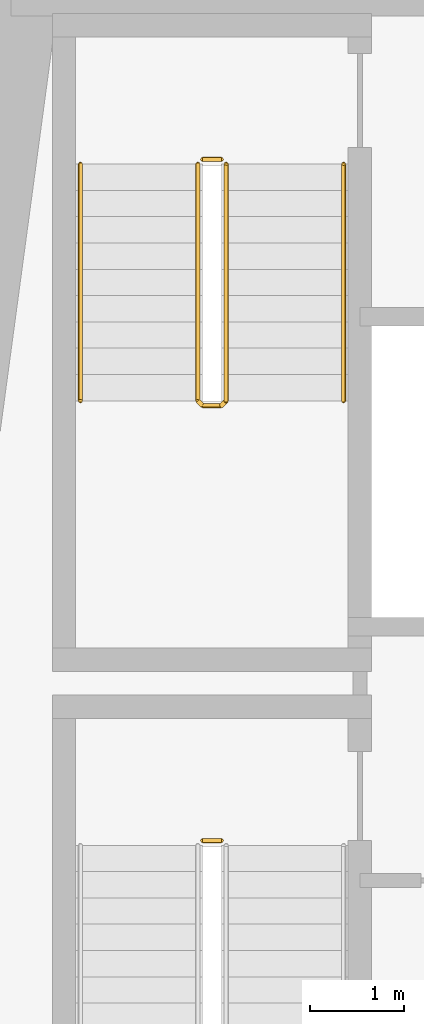
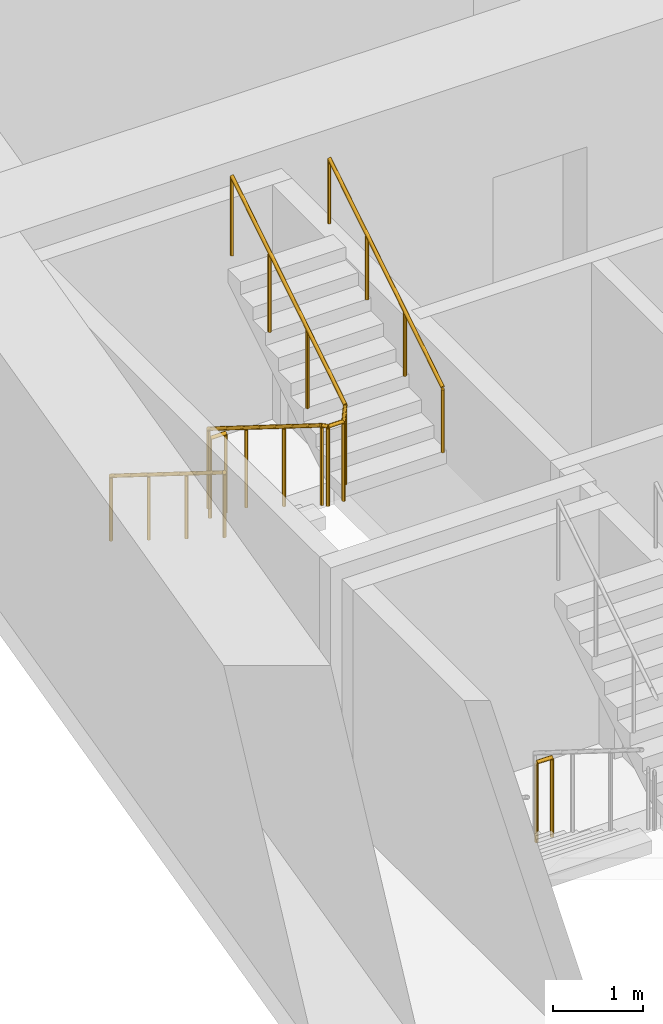
# One storey, part 10 of 13: 5 railings.
"""IFC4 building model written with IfcOpenShell, lengths in metres."""

from ifc_helpers import new_model, si_unit, direction, frame, origin, origin_2d, place, context, subcontext, project, spatial, circle, extrude, material, type_object, element, save


model = new_model("IFC4")

# Units and contexts
model_context = context("Model", 3, precision=1e-05, world=origin(), true_north=direction((0.0, 1.0)))
body_context = subcontext(model_context, "Body", "Model", "MODEL_VIEW")
ifc_project = project(units=[si_unit("LENGTHUNIT", "METRE"), si_unit("AREAUNIT", "SQUARE_METRE"), si_unit("VOLUMEUNIT", "CUBIC_METRE"), si_unit("PLANEANGLEUNIT", "RADIAN"), si_unit("MASSUNIT", "GRAM", prefix="KILO")], contexts=[model_context])

# Site, building, storey
site_placement = place(None, origin())
site = spatial("IfcSite", under=ifc_project, at=site_placement, CompositionType="ELEMENT")
building_placement = place(site_placement, origin())
building = spatial("IfcBuilding", under=site, at=building_placement, Name="Candeia Pilgrim Tower and Theatre", CompositionType="ELEMENT")
storey_placement = place(building_placement, frame((0.0, 0.0, 67.0)))
storey = spatial("IfcBuildingStorey", under=building, at=storey_placement, Name="L14", CompositionType="ELEMENT", Elevation=67.0)

# Railings
ifc_material_1 = material(Name="Stainless steel balustrade", Category="steel")
railing_type_1 = type_object("IfcRailingType", Name="RL-GUARD-1100", PredefinedType="GUARDRAIL", material=ifc_material_1)
railing_1_placement = place(storey_placement, frame((91.152099609375, 122.52490234375, 0.0)))
element("IfcRailing", 1, at=railing_1_placement, inside=storey, type_object=railing_type_1, Name="L14 ST1 stair guard 2", PredefinedType="GUARDRAIL", context=body_context, shape_type="SweptSolid", body=[
    extrude(circle(Radius=0.02392578125, at=origin_2d()), frame((0.0, 0.0, 1.076171875), z_axis=(1.0, 0.0, 0.0), x_axis=(0.0, 1.0, 0.0)), (0.0, 0.0, 1.0), 0.199951171875),
    extrude(circle(Radius=0.02099609375, at=origin_2d()), origin(), (0.0, 0.0, 1.0), 1.052001953125),
    extrude(circle(Radius=0.02099609375, at=origin_2d()), frame((0.199951171875, 0.0, 0.0)), (0.0, 0.0, 1.0), 1.052001953125),
])
railing_2_placement = place(storey_placement, frame((91.10205078125, 129.72509765625, 0.175048828125)))
element("IfcRailing", 2, at=railing_2_placement, inside=storey, type_object=railing_type_1, Name="L14 ST2 stair guard 1", PredefinedType="GUARDRAIL", context=body_context, shape_type="SweptSolid", body=[
    extrude(circle(Radius=0.02392578125, at=origin_2d()), frame((0.0, 0.0, 1.076171875), z_axis=(0.0, -0.848007534815, 0.529984170421), x_axis=(1.0, 0.0, 0.0)), (0.0, 0.0, 1.0), 2.9716796875),
    extrude(circle(Radius=0.02392578125, at=origin_2d()), frame((0.0, -2.52001953125, 2.65087890625), z_axis=(0.707106781187, -0.707106781187, 0.0), x_axis=(0.707106781187, 0.707106781187, 0.0)), (0.0, 0.0, 1.0), 0.07080078125),
    extrude(circle(Radius=0.02392578125, at=origin_2d()), frame((0.050048828125, -2.570068359375, 2.65087890625), z_axis=(1.0, 0.0, 0.0), x_axis=(0.0, 1.0, 0.0)), (0.0, 0.0, 1.0), 0.199951171875),
    extrude(circle(Radius=0.02392578125, at=origin_2d()), frame((0.25, -2.570068359375, 2.65087890625), z_axis=(0.265065253269, 0.265065253269, 0.927081885822), x_axis=(-0.707106781187, 0.707106781187, 0.0)), (0.0, 0.0, 1.0), 0.188720703125),
    extrude(circle(Radius=0.02392578125, at=origin_2d()), frame((0.300048828125, -2.52001953125, 2.826171875), z_axis=(0.0, 0.848007534815, 0.529984170421), x_axis=(-1.0, 0.0, 0.0)), (0.0, 0.0, 1.0), 2.9716796875),
    extrude(circle(Radius=0.02099609375, at=origin_2d()), origin(), (0.0, 0.0, 1.0), 1.052001953125),
    extrude(circle(Radius=0.02099609375, at=origin_2d()), frame((0.0, -0.840087890625, 0.52490234375)), (0.0, 0.0, 1.0), 1.052001953125),
    extrude(circle(Radius=0.02099609375, at=origin_2d()), frame((0.0, -1.679931640625, 1.050048828125)), (0.0, 0.0, 1.0), 1.052001953125),
    extrude(circle(Radius=0.02099609375, at=origin_2d()), frame((0.0, -2.52001953125, 1.574951171875)), (0.0, 0.0, 1.0), 1.052001953125),
    extrude(circle(Radius=0.02099609375, at=origin_2d()), frame((0.050048828125, -2.570068359375, 1.574951171875)), (0.0, 0.0, 1.0), 1.052001953125),
    extrude(circle(Radius=0.02099609375, at=origin_2d()), frame((0.25, -2.570068359375, 1.574951171875)), (0.0, 0.0, 1.0), 1.052001953125),
    extrude(circle(Radius=0.02099609375, at=origin_2d()), frame((0.300048828125, -2.52001953125, 1.75)), (0.0, 0.0, 1.0), 1.052001953125),
    extrude(circle(Radius=0.02099609375, at=origin_2d()), frame((0.300048828125, -1.679931640625, 2.27490234375)), (0.0, 0.0, 1.0), 1.052001953125),
    extrude(circle(Radius=0.02099609375, at=origin_2d()), frame((0.300048828125, -0.840087890625, 2.800048828125)), (0.0, 0.0, 1.0), 1.052001953125),
    extrude(circle(Radius=0.02099609375, at=origin_2d()), frame((0.300048828125, 0.0, 3.324951171875)), (0.0, 0.0, 1.0), 1.052001953125),
])
railing_3_placement = place(storey_placement, frame((91.152099609375, 129.77490234375, 0.0)))
element("IfcRailing", 3, at=railing_3_placement, inside=storey, type_object=railing_type_1, Name="L14 ST2 stair guard 2", PredefinedType="GUARDRAIL", context=body_context, shape_type="SweptSolid", body=[
    extrude(circle(Radius=0.02392578125, at=origin_2d()), frame((0.0, 0.0, 1.076171875), z_axis=(1.0, 0.0, 0.0), x_axis=(0.0, 1.0, 0.0)), (0.0, 0.0, 1.0), 0.199951171875),
    extrude(circle(Radius=0.02099609375, at=origin_2d()), origin(), (0.0, 0.0, 1.0), 1.052001953125),
    extrude(circle(Radius=0.02099609375, at=origin_2d()), frame((0.199951171875, 0.0, 0.0)), (0.0, 0.0, 1.0), 1.052001953125),
])
ifc_material_2 = material(Name="Stainless steel handrail", Category="steel")
railing_type_2 = type_object("IfcRailingType", Name="RL-HANDRAIL-900", PredefinedType="HANDRAIL", material=ifc_material_2)
railing_4_placement = place(storey_placement, frame((89.85205078125, 129.72509765625, 0.175048828125)))
element("IfcRailing", 4, at=railing_4_placement, inside=storey, type_object=railing_type_2, Name="L14 ST2 stair handrail 1", PredefinedType="HANDRAIL", context=body_context, shape_type="SweptSolid", body=[
    extrude(circle(Radius=0.02392578125, at=origin_2d()), frame((0.0, 0.0, 0.8759765625), z_axis=(0.0, -0.848007534815, 0.529984170421), x_axis=(1.0, 0.0, 0.0)), (0.0, 0.0, 1.0), 2.9716796875),
    extrude(circle(Radius=0.02099609375, at=origin_2d()), origin(), (0.0, 0.0, 1.0), 0.851806640625),
    extrude(circle(Radius=0.02099609375, at=origin_2d()), frame((0.0, -0.840087890625, 0.52490234375)), (0.0, 0.0, 1.0), 0.851806640625),
    extrude(circle(Radius=0.02099609375, at=origin_2d()), frame((0.0, -1.679931640625, 1.050048828125)), (0.0, 0.0, 1.0), 0.851806640625),
    extrude(circle(Radius=0.02099609375, at=origin_2d()), frame((0.0, -2.52001953125, 1.574951171875)), (0.0, 0.0, 1.0), 0.851806640625),
])
railing_5_placement = place(storey_placement, frame((92.652099609375, 127.205078125, 1.925048828125)))
element("IfcRailing", 5, at=railing_5_placement, inside=storey, type_object=railing_type_2, Name="L14 ST2 stair handrail 2", PredefinedType="HANDRAIL", context=body_context, shape_type="SweptSolid", body=[
    extrude(circle(Radius=0.02392578125, at=origin_2d()), frame((0.0, 0.0, 0.8759765625), z_axis=(0.0, 0.848007534815, 0.529984170421), x_axis=(-1.0, 0.0, 0.0)), (0.0, 0.0, 1.0), 2.9716796875),
    extrude(circle(Radius=0.02099609375, at=origin_2d()), origin(), (0.0, 0.0, 1.0), 0.851806640625),
    extrude(circle(Radius=0.02099609375, at=origin_2d()), frame((0.0, 0.840087890625, 0.52490234375)), (0.0, 0.0, 1.0), 0.851806640625),
    extrude(circle(Radius=0.02099609375, at=origin_2d()), frame((0.0, 1.679931640625, 1.050048828125)), (0.0, 0.0, 1.0), 0.851806640625),
    extrude(circle(Radius=0.02099609375, at=origin_2d()), frame((0.0, 2.52001953125, 1.574951171875)), (0.0, 0.0, 1.0), 0.851806640625),
])

save(model, "model.ifc")
